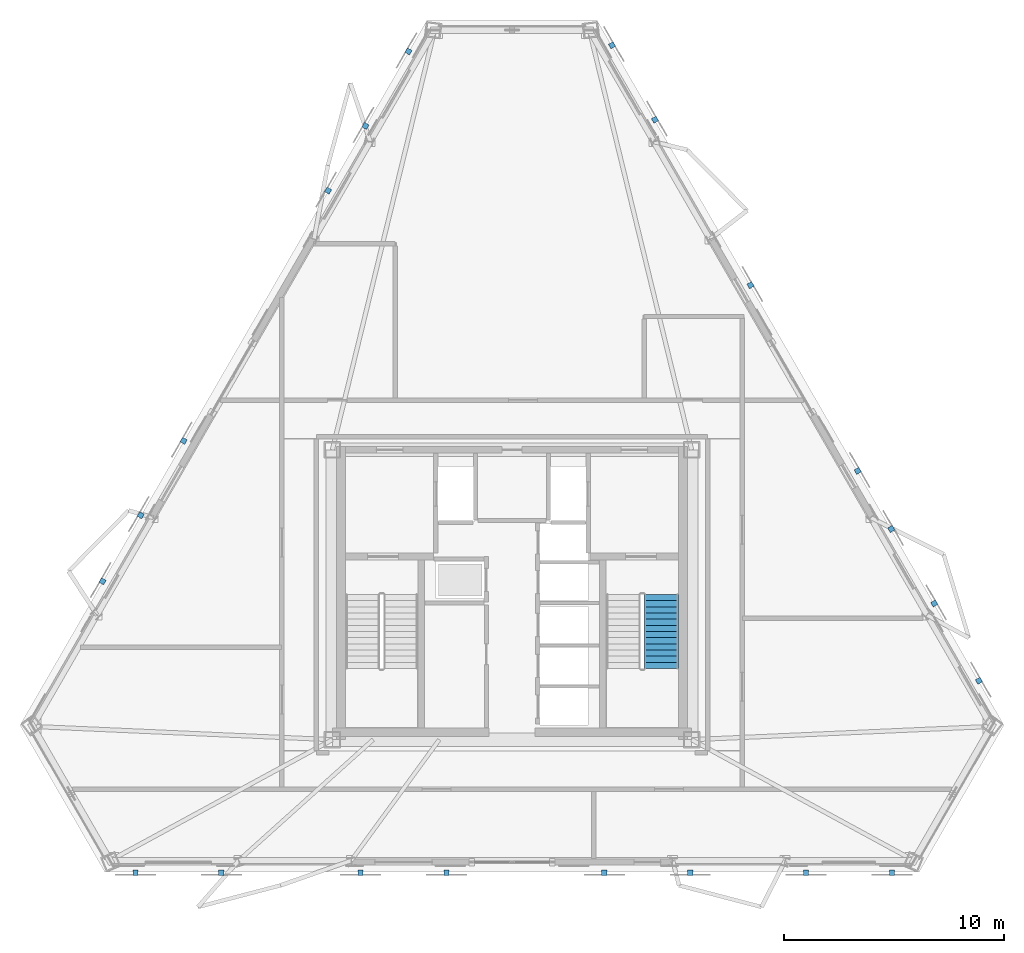
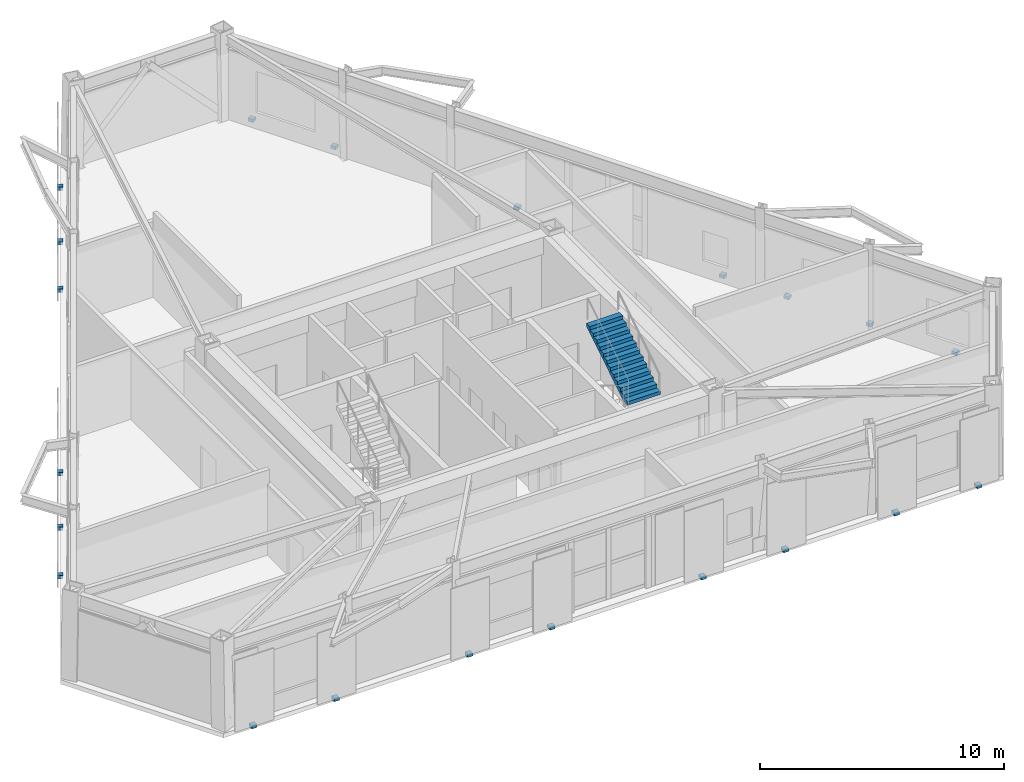
# One storey, part 10 of 14: 21 discrete accessories, 1 stair flight, 1 element without a shape of its own.
"""IFC4 building model written with IfcOpenShell, lengths in metres."""

from ifc_helpers import new_model, si_unit, direction, frame, origin, origin_2d, place, context, subcontext, project, spatial, polyline, rectangle, outline, extrude, material, type_object, element, aggregate, save


model = new_model("IFC4")

# Units and contexts
model_context = context("Model", 3, precision=1e-05, world=origin(), true_north=direction((0.0, 1.0)))
body_context = subcontext(model_context, "Body", "Model", "MODEL_VIEW")
ifc_project = project(units=[si_unit("LENGTHUNIT", "METRE"), si_unit("AREAUNIT", "SQUARE_METRE"), si_unit("VOLUMEUNIT", "CUBIC_METRE"), si_unit("PLANEANGLEUNIT", "RADIAN"), si_unit("MASSUNIT", "GRAM", prefix="KILO")], contexts=[model_context])

# Site, building, storey
site_placement = place(None, origin())
site = spatial("IfcSite", under=ifc_project, at=site_placement, CompositionType="ELEMENT")
building_placement = place(site_placement, origin())
building = spatial("IfcBuilding", under=site, at=building_placement, Name="Oramaril Tower", CompositionType="ELEMENT")
storey_placement = place(building_placement, frame((0.0, 0.0, 204.60009765625)))
storey = spatial("IfcBuildingStorey", under=building, at=storey_placement, Name="L54", CompositionType="ELEMENT", Elevation=204.60009765625)

# Stair, stair flight
ifc_material_1 = material(Name="Concrete C50/60", Category="concrete")
stair_type = type_object("IfcStairType", Name="STT-DG-4500", PredefinedType="HALF_TURN_STAIR", material=ifc_material_1)
stair_placement = place(storey_placement, origin())
stair = element("IfcStair", 1, at=stair_placement, inside=storey, type_object=stair_type, Name="L54 Protected PFP Exit Stair ST-2", PredefinedType="HALF_TURN_STAIR")
ifc_material_2 = material(Name="Concrete C50/60", Category="concrete")
stair_flight_type = type_object("IfcStairFlightType", Name="SFT-DG-4500", PredefinedType="STRAIGHT", material=ifc_material_2)
stair_flight_placement = place(storey_placement, frame((44.27001953125, 14.22998046875, 2.25), z_axis=(0.0, 0.0, 1.0), x_axis=(0.0, 1.0, 0.0)))
stair_flight = element("IfcStairFlight", 2, at=stair_flight_placement, type_object=stair_flight_type, Name="ST-2 flight 2", NumberOfRisers=13, NumberOfTreads=12, PredefinedType="STRAIGHT", RiserHeight=0.173076923, TreadLength=0.28, context=body_context, shape_type="SweptSolid", body=[
    extrude(outline(polyline([(0.0, 0.0), (0.0, 0.173095703125), (0.280029296875, 0.173095703125), (0.280029296875, 0.34619140625), (0.56005859375, 0.34619140625), (0.56005859375, 0.519287109375), (0.840087890625, 0.519287109375), (0.840087890625, 0.6923828125), (1.1201171875, 0.6923828125), (1.1201171875, 0.865478515625), (1.39990234375, 0.865478515625), (1.39990234375, 1.03857421875), (1.679931640625, 1.03857421875), (1.679931640625, 1.21142578125), (1.9599609375, 1.21142578125), (1.9599609375, 1.384521484375), (2.239990234375, 1.384521484375), (2.239990234375, 1.5576171875), (2.52001953125, 1.5576171875), (2.52001953125, 1.730712890625), (2.800048828125, 1.730712890625), (2.800048828125, 1.90380859375), (3.080078125, 1.90380859375), (3.080078125, 2.076904296875), (3.360107421875, 2.076904296875), (3.360107421875, 2.25), (3.360107421875, 1.900634765625), (0.28515625, 0.0), (0.0, 0.0)])), frame((0.0, 0.780029296875, 0.0), z_axis=(0.0, -1.0, 0.0), x_axis=(1.0, 0.0, 0.0)), (0.0, 0.0, 1.0), 1.56005859375),
])
aggregate(stair, [stair_flight])

# Discrete accessories
for number, where, z_axis, x_axis, name in (
    (3, (20.41455078125, 4.96923828125, -0.14013671875), (0.0, 0.0, 1.0), (1.0, 0.0, 0.0), "L54 Solar Screen Slab Bracket"),
    (4, (24.314697265625, 4.96923828125, -0.14013671875), (0.0, 0.0, 1.0), (1.0, 0.0, 0.0), "L54 Solar Screen Slab Bracket"),
    (5, (30.630615234375, 4.96923828125, -0.14013671875), (0.0, 0.0, 1.0), (1.0, 0.0, 0.0), "L54 Solar Screen Slab Bracket"),
    (6, (34.530517578125, 4.96923828125, -0.14013671875), (0.0, 0.0, 1.0), (1.0, 0.0, 0.0), "L54 Solar Screen Slab Bracket"),
    (7, (41.688720703125, 4.96923828125, -0.14013671875), (0.0, 0.0, 1.0), (1.0, 0.0, 0.0), "L54 Solar Screen Slab Bracket"),
    (8, (45.588623046875, 4.96923828125, -0.14013671875), (0.0, 0.0, 1.0), (1.0, 0.0, 0.0), "L54 Solar Screen Slab Bracket"),
    (9, (50.83544921875, 4.96923828125, -0.14013671875), (0.0, 0.0, 1.0), (1.0, 0.0, 0.0), "L54 Solar Screen Slab Bracket"),
    (10, (54.735595703125, 4.96923828125, -0.14013671875), (0.0, 0.0, 1.0), (1.0, 0.0, 0.0), "L54 Solar Screen Slab Bracket"),
    (11, (58.683349609375, 13.6708984375, -0.14013671875), (0.0, 0.0, 1.0), (-0.4999984885, 0.866026276448, 0.0), "L54 Solar Screen Slab Bracket"),
    (12, (56.6572265625, 17.18017578125, -0.14013671875), (0.0, 0.0, 1.0), (-0.4999984885, 0.866026276448, 0.0), "L54 Solar Screen Slab Bracket"),
    (13, (54.707275390625, 20.5576171875, -0.14013671875), (0.0, 0.0, 1.0), (-0.4999984885, 0.866026276448, 0.0), "L54 Solar Screen Slab Bracket"),
    (14, (53.18505859375, 23.194091796875, -0.14013671875), (0.0, 0.0, 1.0), (-0.4999984885, 0.866026276448, 0.0), "L54 Solar Screen Slab Bracket"),
    (15, (48.31884765625, 31.62255859375, -0.14013671875), (0.0, 0.0, 1.0), (-0.500001511499, 0.866024531118, 0.0), "L54 Solar Screen Slab Bracket"),
    (16, (43.98583984375, 39.127685546875, -0.14013671875), (0.0, 0.0, 1.0), (-0.500001511499, 0.866024531118, 0.0), "L54 Solar Screen Slab Bracket"),
    (17, (42.035888671875, 42.505126953125, -0.14013671875), (0.0, 0.0, 1.0), (-0.500001511499, 0.866024531118, 0.0), "L54 Solar Screen Slab Bracket"),
    (18, (32.8017578125, 42.223876953125, -0.14013671875), (0.0, 0.0, 1.0), (-0.4999984885, -0.866026276448, 0.0), "L54 Solar Screen Slab Bracket"),
    (19, (30.851806640625, 38.84619140625, -0.14013671875), (0.0, 0.0, 1.0), (-0.4999984885, -0.866026276448, 0.0), "L54 Solar Screen Slab Bracket"),
    (20, (29.156005859375, 35.909423828125, -0.14013671875), (0.0, 0.0, 1.0), (-0.4999984885, -0.866026276448, 0.0), "L54 Solar Screen Slab Bracket"),
    (21, (22.602294921875, 24.557861328125, -0.14013671875), (0.0, 0.0, 1.0), (-0.500001511499, -0.866024531118, 0.0), "L54 Solar Screen Slab Bracket"),
    (22, (20.65234375, 21.180419921875, -0.14013671875), (0.0, 0.0, 1.0), (-0.500001511499, -0.866024531118, 0.0), "L54 Solar Screen Slab Bracket"),
    (23, (18.923583984375, 18.186279296875, -0.14013671875), (0.0, 0.0, 1.0), (-0.500001511499, -0.866024531118, 0.0), "L54 Solar Screen Slab Bracket"),
):
    element("IfcDiscreteAccessory", number, at=place(storey_placement, frame(where, z_axis=z_axis, x_axis=x_axis)), inside=storey, Name=name, PredefinedType="BRACKET", context=body_context, shape_type="SweptSolid", body=[
        extrude(rectangle(XDim=0.239990234375, YDim=0.239990234375, at=origin_2d()), origin(), (0.0, 0.0, 1.0), 0.159912109375),
    ])

save(model, "model.ifc")
